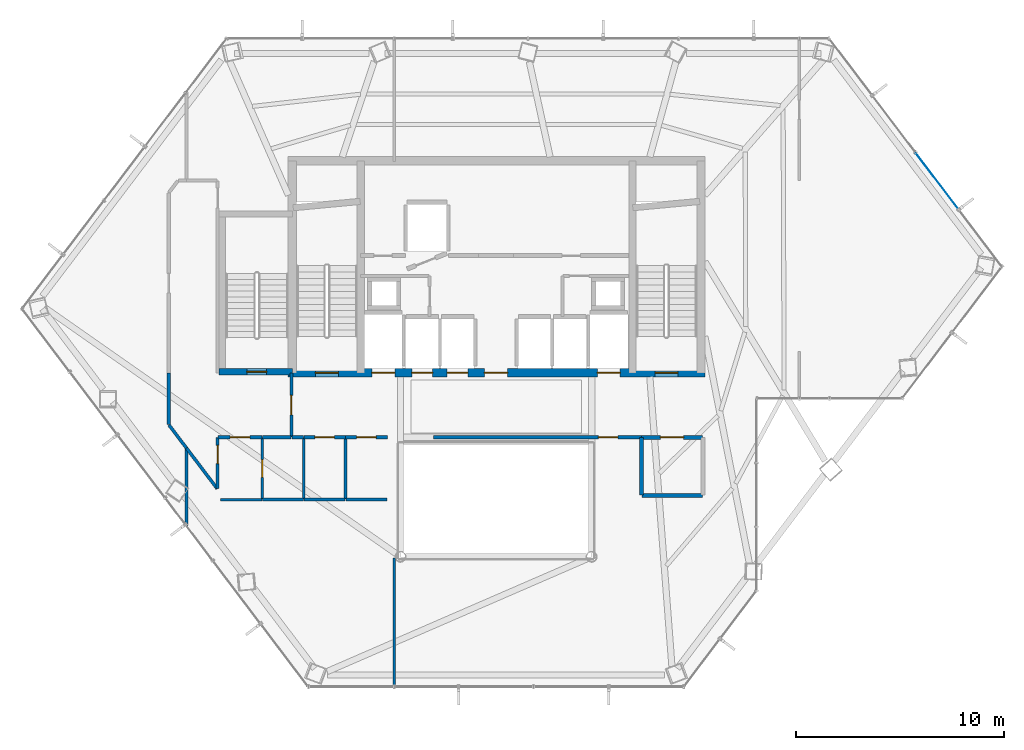
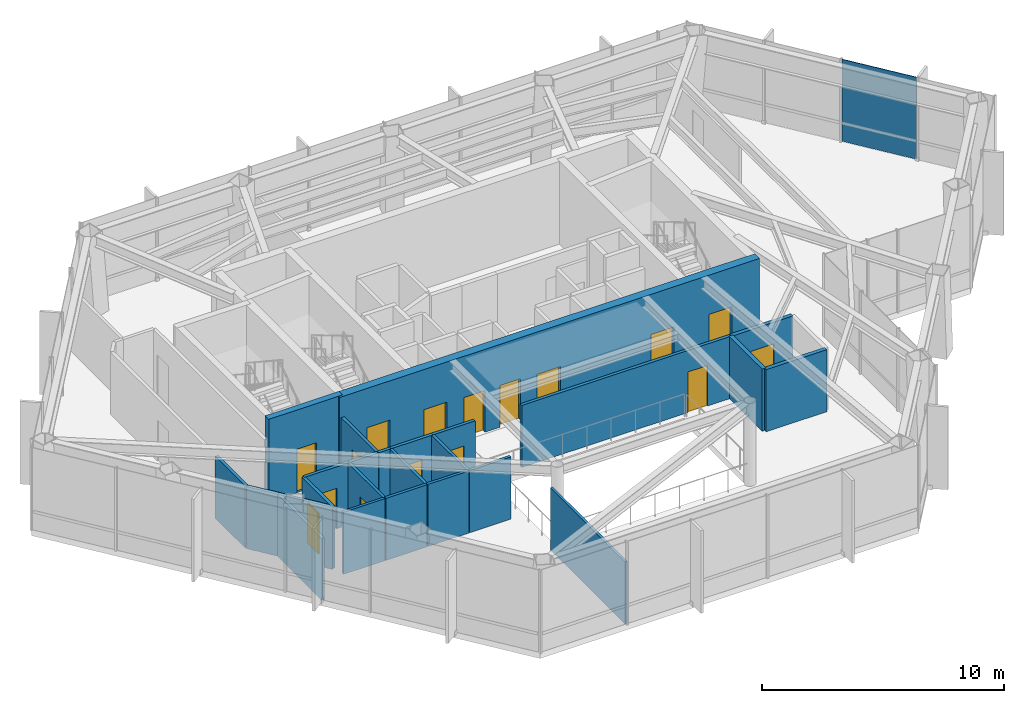
# One storey, part 22 of 25: 25 walls, 16 doors, 1 plate, 16 openings, 1 element without a shape of its own.
"""IFC4 building model written with IfcOpenShell, lengths in metres."""

import ifcopenshell
import ifcopenshell.guid

model = None  # the IFC model being written
_history = None  # IfcOwnerHistory: only IFC2X3 demands one
_inside = {}  # id of a spatial element -> (the spatial element, [elements in it])
_under = {}  # id of a project, library or spatial element -> (it, [spatial elements below it])
_declared = {}  # id of a project -> (the project, [libraries it declares])
_typed = {}  # id of a type object -> (the type object, [elements of that type])
_made_of = {}  # id of a material, layer set ... -> (it, [elements and type objects made of it])


def new_model(schema):
    """Start an empty IFC model of exactly this schema.

    Asked for "IFC4X3", IfcOpenShell would pick the latest addendum, in which some entities
    have other attributes; the version numbers below select the first issue.
    IFC2X3 requires an IfcOwnerHistory on every rooted entity: one is made here for all.
    """
    global model, _history
    if schema == "IFC4X3":
        model = ifcopenshell.file(schema_version=(4, 3, 0, 0))
    else:
        model = ifcopenshell.file(schema=schema)
    _inside.clear()
    _under.clear()
    _declared.clear()
    _typed.clear()
    _made_of.clear()
    _history = None
    if model.schema == "IFC2X3":
        org = make("IfcOrganization", Name="unknown")
        user = make(
            "IfcPersonAndOrganization",
            ThePerson=make("IfcPerson", FamilyName="unknown"),
            TheOrganization=org,
        )
        app = make(
            "IfcApplication",
            ApplicationDeveloper=org,
            Version="unknown",
            ApplicationFullName="unknown",
            ApplicationIdentifier="unknown",
        )
        _history = make(
            "IfcOwnerHistory",
            OwningUser=user,
            OwningApplication=app,
            ChangeAction="ADDED",
            CreationDate=0,
        )
    return model


def make(cls, **values):
    """One entity of the class cls with the attributes given. An attribute that is None is left unset."""
    return model.create_entity(
        cls, **{name: value for name, value in values.items() if value is not None}
    )


def rooted(cls, **values):
    """An entity with a GlobalId (a new one), such as an element, a storey or a relation."""
    return make(cls, GlobalId=ifcopenshell.guid.new(), OwnerHistory=_history, **values)


def si_unit(unit_type, name, prefix=None):
    """IfcSIUnit, for example si_unit("LENGTHUNIT", "METRE", prefix="MILLI")."""
    return make("IfcSIUnit", UnitType=unit_type, Prefix=prefix, Name=name)


def assignment(units):
    """IfcUnitAssignment: the units of a project."""
    return None if units is None else make("IfcUnitAssignment", Units=units)


def point(xyz):
    """IfcCartesianPoint."""
    return None if xyz is None else make("IfcCartesianPoint", Coordinates=xyz)


def direction(xyz):
    """IfcDirection."""
    return None if xyz is None else make("IfcDirection", DirectionRatios=xyz)


def frame(location, z_axis=None, x_axis=None):
    """IfcAxis2Placement3D, a coordinate frame: its origin and axes. An axis left out is left unset."""
    return make(
        "IfcAxis2Placement3D",
        Location=point(location),
        Axis=direction(z_axis),
        RefDirection=direction(x_axis),
    )


def frame_2d(location, x_axis=None):
    """IfcAxis2Placement2D, a coordinate frame in the plane: its origin and x axis."""
    return make(
        "IfcAxis2Placement2D", Location=point(location), RefDirection=direction(x_axis)
    )


def origin():
    """The frame at (0, 0, 0) with its axes left unset."""
    return frame((0.0, 0.0, 0.0))


def origin_2d():
    """The frame at (0, 0) in the plane with its x axis left unset."""
    return frame_2d((0.0, 0.0))


def place(relative_to, where):
    """IfcLocalPlacement: puts the frame where relative to a parent placement (None: the world)."""
    return make(
        "IfcLocalPlacement", PlacementRelTo=relative_to, RelativePlacement=where
    )


def context(
    kind, dimensions, precision=None, world=None, true_north=None, identifier=None
):
    """IfcGeometricRepresentationContext, for example the 3D "Model" context."""
    return make(
        "IfcGeometricRepresentationContext",
        ContextIdentifier=identifier,
        ContextType=kind,
        CoordinateSpaceDimension=dimensions,
        Precision=precision,
        WorldCoordinateSystem=world,
        TrueNorth=true_north,
    )


def subcontext(parent, identifier, kind, view, scale=None):
    """IfcGeometricRepresentationSubContext, for example "Body" below "Model"."""
    return make(
        "IfcGeometricRepresentationSubContext",
        ContextIdentifier=identifier,
        ContextType=kind,
        ParentContext=parent,
        TargetScale=scale,
        TargetView=view,
    )


def project(units=None, contexts=None):
    """IfcProject with its units and contexts."""
    return rooted(
        "IfcProject",
        Name="project",
        RepresentationContexts=contexts,
        UnitsInContext=assignment(units),
    )


def spatial(cls, under=None, at=None, **own):
    """A site, building, storey or space (cls), placed at a placement, below another one or the project."""
    s = rooted(cls, ObjectPlacement=at, **own)
    if under is not None:
        _under.setdefault(under.id(), (under, []))[1].append(s)
    return s


def profile(cls, at=None, kind="AREA", **sizes):
    """A parametric profile (cls). Its sizes go by their IFC names, for example OverallWidth=200.0."""
    return make(cls, ProfileType=kind, Position=at, **sizes)


def rectangle(**sizes):
    """IfcRectangleProfileDef."""
    return profile("IfcRectangleProfileDef", **sizes)


def extrude(swept, where, along, depth):
    """IfcExtrudedAreaSolid: the profile swept, set in the frame where, extruded along a direction by depth."""
    return make(
        "IfcExtrudedAreaSolid",
        SweptArea=swept,
        Position=where,
        ExtrudedDirection=direction(along),
        Depth=depth,
    )


def shape(context_of_items, identifier, shape_type, items):
    """IfcShapeRepresentation: the items that make up one representation, for example the "Body"."""
    return make(
        "IfcShapeRepresentation",
        ContextOfItems=context_of_items,
        RepresentationIdentifier=identifier,
        RepresentationType=shape_type,
        Items=items,
    )


def material(Name=None, Category=None):
    """IfcMaterial."""
    return make("IfcMaterial", Name=Name, Category=Category)


def layer(
    of_material, thickness, ventilated=None, Name=None, Category=None, Priority=None
):
    """IfcMaterialLayer: one layer of a wall or slab, of a material (None: an air gap)."""
    return make(
        "IfcMaterialLayer",
        Material=of_material,
        LayerThickness=thickness,
        IsVentilated=ventilated,
        Name=Name,
        Category=Category,
        Priority=Priority,
    )


def layer_set(layers, Name=None):
    """IfcMaterialLayerSet."""
    return make("IfcMaterialLayerSet", MaterialLayers=layers, LayerSetName=Name)


def made_of(thing, what):
    """Note that an element or type object is made of a material, layer set ...; save() writes the relation."""
    if what is not None:
        _made_of.setdefault(what.id(), (what, []))[1].append(thing)
    return thing


def type_object(cls, material=None, **own):
    """A type object (cls), such as IfcWallType, which elements share."""
    return made_of(rooted(cls, **own), material)


def element(
    cls,
    number,
    at=None,
    inside=None,
    cuts=None,
    type_object=None,
    material=None,
    context=None,
    identifier="Body",
    shape_type=None,
    held_by="IfcProductDefinitionShape",
    body=None,
    shapes=None,
    **own,
):
    """One element of the class cls, such as IfcWall. Its Tag is "e" and its number.

    at: its placement. inside: the storey or other place that contains it. cuts: it is an
    opening in that element (IfcRelVoidsElement). A single representation is given by context,
    identifier, shape_type and body (its items); several are given by shapes. held_by: the class
    of the entity that holds the representations. save() writes the other relations.
    """
    e = rooted(cls, Tag="e%d" % number, ObjectPlacement=at, **own)
    if body is not None:
        shapes = [shape(context, identifier, shape_type, body)]
    if shapes is not None:
        e.Representation = make(held_by, Representations=shapes)
    if inside is not None:
        _inside.setdefault(inside.id(), (inside, []))[1].append(e)
    if cuts is not None:
        rooted(
            "IfcRelVoidsElement", RelatingBuildingElement=cuts, RelatedOpeningElement=e
        )
    if type_object is not None:
        _typed.setdefault(type_object.id(), (type_object, []))[1].append(e)
    return made_of(e, material)


def fill(opening, filler):
    """IfcRelFillsElement: the door or window that sits in an opening."""
    return rooted(
        "IfcRelFillsElement",
        RelatingOpeningElement=opening,
        RelatedBuildingElement=filler,
    )


def aggregate(whole, parts):
    """IfcRelAggregates: a whole, such as a stair, and the parts it consists of."""
    return rooted("IfcRelAggregates", RelatingObject=whole, RelatedObjects=parts)


def save(model, path):
    """Write the relations noted so far, then the file.

    IfcRelAggregates (storeys below a building ...), IfcRelContainedInSpatialStructure (elements
    in a storey), IfcRelDefinesByType, IfcRelAssociatesMaterial and IfcRelDeclares: one each for
    every whole, place, type object, material and project.
    """
    for whole, parts in _under.values():
        aggregate(whole, parts)
    for where, things in _inside.values():
        rooted(
            "IfcRelContainedInSpatialStructure",
            RelatedElements=things,
            RelatingStructure=where,
        )
    for kind, things in _typed.values():
        rooted("IfcRelDefinesByType", RelatedObjects=things, RelatingType=kind)
    for what, things in _made_of.values():
        rooted("IfcRelAssociatesMaterial", RelatedObjects=things, RelatingMaterial=what)
    for by, libraries in _declared.values():
        rooted("IfcRelDeclares", RelatingContext=by, RelatedDefinitions=libraries)
    model.write(path)


model = new_model("IFC4")

# Units and contexts
model_context = context("Model", 3, precision=1e-05, world=origin(), true_north=direction((0.0, 1.0)))
body_context = subcontext(model_context, "Body", "Model", "MODEL_VIEW")
ifc_project = project(units=[si_unit("LENGTHUNIT", "METRE"), si_unit("AREAUNIT", "SQUARE_METRE"), si_unit("VOLUMEUNIT", "CUBIC_METRE"), si_unit("PLANEANGLEUNIT", "RADIAN"), si_unit("MASSUNIT", "GRAM", prefix="KILO")], contexts=[model_context])

# Site, building, storey
site_placement = place(None, origin())
site = spatial("IfcSite", under=ifc_project, at=site_placement, CompositionType="ELEMENT")
building_placement = place(site_placement, origin())
building = spatial("IfcBuilding", under=site, at=building_placement, Name="Zarrinselat Tower", CompositionType="ELEMENT")
storey_placement = place(building_placement, frame((0.0, 0.0, 119.0)))
storey = spatial("IfcBuildingStorey", under=building, at=storey_placement, Name="L28", CompositionType="ELEMENT", Elevation=119.0)

# Curtain wall, plate
ifc_material_1 = material(Name="Extruded Aluminium Alloy EN AW-6063 T6", Category="aluminium")
ifc_layer_1 = layer(ifc_material_1, 0.195068359375)
ifc_layer_set_1 = layer_set([ifc_layer_1], Name="Extruded Aluminium Alloy EN AW-6063 T6")
curtain_wall_type = type_object("IfcCurtainWallType", Name="CWS-GDN", PredefinedType="NOTDEFINED", material=ifc_layer_set_1)
curtain_wall_placement = place(storey_placement, origin())
curtain_wall = element("IfcCurtainWall", 1, at=curtain_wall_placement, inside=storey, type_object=curtain_wall_type, Name="L28 Unitised Curtain Wall CW-L28-E05", PredefinedType="NOTDEFINED")
ifc_material_2 = material(Name="Double Low-E Laminated Solar Glass", Category="glass")
ifc_layer_2 = layer(ifc_material_2, 0.031982421875)
ifc_layer_set_2 = layer_set([ifc_layer_2], Name="Double Low-E Laminated Solar Glass")
plate_type = type_object("IfcPlateType", Name="PLT-CW-GL32", PredefinedType="CURTAIN_PANEL", material=ifc_layer_set_2)
plate_placement = place(storey_placement, frame((59.62646484375, 42.480224609375, 0.02001953125), z_axis=(0.0, 0.0, 1.0), x_axis=(0.603856430388, -0.797093100885, 0.0)))
plate = element("IfcPlate", 2, at=plate_placement, type_object=plate_type, Name="CW-L28-E05 Vision Glass Panel 3", PredefinedType="CURTAIN_PANEL", context=body_context, shape_type="SweptSolid", body=[
    extrude(rectangle(XDim=3.344482421875, YDim=0.031982421875, at=origin_2d()), origin(), (0.0, 0.0, 1.0), 4.139892578125),
])
aggregate(curtain_wall, [plate])

# Wall, opening, door
ifc_material_3 = material(Name="Concrete C40/50", Category="concrete")
ifc_layer_3 = layer(ifc_material_3, 0.18994140625)
ifc_layer_set_3 = layer_set([ifc_layer_3], Name="Concrete C40/50")
wall_type_1 = type_object("IfcWallType", Name="WAL-PART-EI120", PredefinedType="PARTITIONING", material=ifc_layer_set_3)
wall_1_placement = place(storey_placement, frame((45.405029296875, 30.14990234375, 0.0), z_axis=(0.0, 0.0, 1.0), x_axis=(1.0, 0.0, 0.0)))
wall_1 = element("IfcWall", 3, at=wall_1_placement, inside=storey, type_object=wall_type_1, Name="L28 Partition Wall 9", PredefinedType="PARTITIONING", context=body_context, shape_type="SweptSolid", body=[
    extrude(rectangle(XDim=2.925048828125, YDim=0.18994140625, at=frame_2d((1.46240234375, 0.0))), origin(), (0.0, 0.0, 1.0), 3.136962890625),
])
opening_1_placement = place(wall_1_placement, frame((0.902587890625, 0.0, 0.0)))
opening_1 = element("IfcOpeningElement", 4, at=opening_1_placement, cuts=wall_1, Name="Opening ID-02", PredefinedType="OPENING", context=body_context, shape_type="SweptSolid", body=[
    extrude(rectangle(XDim=1.1201171875, YDim=2.050048828125, at=frame_2d((0.56005859375, 1.02490234375))), frame((0.0, 0.10498046875, 0.0), z_axis=(0.0, -1.0, 0.0), x_axis=(1.0, 0.0, 0.0)), (0.0, 0.0, 1.0), 0.2099609375),
])
ifc_material_4 = material(Name="Steel S355J2", Category="steel")
door_type_1 = type_object("IfcDoorType", Name="DR-INT-FD60-W", OperationType="NOTDEFINED", PredefinedType="DOOR", material=ifc_material_4)
door_1_placement = place(opening_1_placement, origin())
door_1 = element("IfcDoor", 5, at=door_1_placement, inside=storey, type_object=door_type_1, Name="L28 Interior Door P9", OperationType="SINGLE_SWING_LEFT", OverallHeight=2.050048828125, OverallWidth=1.1201171875, PredefinedType="DOOR", context=body_context, shape_type="SweptSolid", body=[
    extrude(rectangle(XDim=1.1201171875, YDim=2.050048828125, at=frame_2d((0.56005859375, 1.02490234375))), frame((0.0, 0.02490234375, 0.0), z_axis=(0.0, -1.0, 0.0), x_axis=(1.0, 0.0, 0.0)), (0.0, 0.0, 1.0), 0.050048828125),
])
fill(opening_1, door_1)

# Walls
wall_2_placement = place(storey_placement, frame((45.419921875, 27.35009765625, 0.0), z_axis=(0.0, 0.0, 1.0), x_axis=(1.0, 0.0, 0.0)))
element("IfcWall", 6, at=wall_2_placement, inside=storey, type_object=wall_type_1, Name="L28 Partition Wall 15", PredefinedType="PARTITIONING", context=body_context, shape_type="SweptSolid", body=[
    extrude(rectangle(XDim=2.91015625, YDim=0.18994140625, at=frame_2d((1.455078125, 0.0))), origin(), (0.0, 0.0, 1.0), 3.136962890625),
])
wall_3_placement = place(storey_placement, frame((45.39990234375, 27.3701171875, 0.0), z_axis=(0.0, 0.0, 1.0), x_axis=(0.0, 1.0, 0.0)))
element("IfcWall", 7, at=wall_3_placement, inside=storey, type_object=wall_type_1, Name="L28 Partition Wall 16", PredefinedType="PARTITIONING", context=body_context, shape_type="SweptSolid", body=[
    extrude(rectangle(XDim=2.759765625, YDim=0.18994140625, at=frame_2d((1.3798828125, 0.0))), origin(), (0.0, 0.0, 1.0), 3.136962890625),
])

# Wall, opening, door
ifc_material_5 = material(Name="Fire-Rated Gypsum Board Partition", Category="gypsum")
ifc_layer_4 = layer(ifc_material_5, 0.14990234375)
ifc_layer_set_4 = layer_set([ifc_layer_4], Name="Fire-Rated Gypsum Board Partition")
wall_type_2 = type_object("IfcWallType", Name="WAL-PART-EI60", PredefinedType="PARTITIONING", material=ifc_layer_set_4)
wall_4_placement = place(storey_placement, frame((28.550048828125, 30.169921875, 0.0), z_axis=(0.0, 0.0, 1.0), x_axis=(0.0, 1.0, 0.0)))
wall_4 = element("IfcWall", 8, at=wall_4_placement, inside=storey, type_object=wall_type_2, Name="L28 Partition Wall 10", PredefinedType="PARTITIONING", context=body_context, shape_type="SweptSolid", body=[
    extrude(rectangle(XDim=3.065185546875, YDim=0.14990234375, at=frame_2d((1.53271484375, 0.0))), origin(), (0.0, 0.0, 1.0), 3.136962890625),
])
opening_2_placement = place(wall_4_placement, frame((1.0625, 0.0, 0.0)))
opening_2 = element("IfcOpeningElement", 9, at=opening_2_placement, cuts=wall_4, Name="Opening ID-04", PredefinedType="OPENING", context=body_context, shape_type="SweptSolid", body=[
    extrude(rectangle(XDim=0.93994140625, YDim=2.050048828125, at=frame_2d((0.469970703125, 1.02490234375))), frame((0.0, 0.0849609375, 0.0), z_axis=(0.0, -1.0, 0.0), x_axis=(1.0, 0.0, 0.0)), (0.0, 0.0, 1.0), 0.169921875),
])
ifc_material_6 = material(Name="Fire-Rated Gypsum Board Partition")
door_type_2 = type_object("IfcDoorType", Name="DR-INT-FD30-ENT", OperationType="NOTDEFINED", PredefinedType="DOOR", material=ifc_material_6)
door_2_placement = place(opening_2_placement, origin())
door_2 = element("IfcDoor", 10, at=door_2_placement, inside=storey, type_object=door_type_2, Name="L28 Interior Door P10", OperationType="SINGLE_SWING_RIGHT", OverallHeight=2.050048828125, OverallWidth=0.93994140625, PredefinedType="DOOR", context=body_context, shape_type="SweptSolid", body=[
    extrude(rectangle(XDim=0.93994140625, YDim=2.050048828125, at=frame_2d((0.469970703125, 1.02490234375))), frame((0.0, 0.02490234375, 0.0), z_axis=(0.0, -1.0, 0.0), x_axis=(1.0, 0.0, 0.0)), (0.0, 0.0, 1.0), 0.050048828125),
])
fill(opening_2, door_2)

# Wall
wall_5_placement = place(storey_placement, frame((28.570068359375, 30.14990234375, 0.0), z_axis=(0.0, 0.0, 1.0), x_axis=(1.0, 0.0, 0.0)))
element("IfcWall", 11, at=wall_5_placement, inside=storey, type_object=wall_type_2, Name="L28 Partition Wall 11", PredefinedType="PARTITIONING", context=body_context, shape_type="SweptSolid", body=[
    extrude(rectangle(XDim=0.574951171875, YDim=0.14990234375, at=frame_2d((0.28759765625, 0.0))), origin(), (0.0, 0.0, 1.0), 3.136962890625),
])

# Wall, opening, door
wall_6_placement = place(storey_placement, frame((29.155029296875, 30.14990234375, 0.0), z_axis=(0.0, 0.0, 1.0), x_axis=(1.0, 0.0, 0.0)))
wall_6 = element("IfcWall", 12, at=wall_6_placement, inside=storey, type_object=wall_type_2, Name="L28 Partition Wall 12", PredefinedType="PARTITIONING", context=body_context, shape_type="SweptSolid", body=[
    extrude(rectangle(XDim=1.989990234375, YDim=0.14990234375, at=frame_2d((0.9951171875, 0.0))), origin(), (0.0, 0.0, 1.0), 3.136962890625),
])
opening_3_placement = place(wall_6_placement, frame((0.52490234375, 0.0, 0.0)))
opening_3 = element("IfcOpeningElement", 13, at=opening_3_placement, cuts=wall_6, Name="Opening ID-04", PredefinedType="OPENING", context=body_context, shape_type="SweptSolid", body=[
    extrude(rectangle(XDim=0.93994140625, YDim=2.050048828125, at=frame_2d((0.469970703125, 1.02490234375))), frame((0.0, 0.0849609375, 0.0), z_axis=(0.0, -1.0, 0.0), x_axis=(1.0, 0.0, 0.0)), (0.0, 0.0, 1.0), 0.169921875),
])
door_3_placement = place(opening_3_placement, origin())
door_3 = element("IfcDoor", 14, at=door_3_placement, inside=storey, type_object=door_type_2, Name="L28 Interior Door P12", OperationType="SINGLE_SWING_LEFT", OverallHeight=2.050048828125, OverallWidth=0.93994140625, PredefinedType="DOOR", context=body_context, shape_type="SweptSolid", body=[
    extrude(rectangle(XDim=0.93994140625, YDim=2.050048828125, at=frame_2d((0.469970703125, 1.02490234375))), frame((0.0, 0.02490234375, 0.0), z_axis=(0.0, -1.0, 0.0), x_axis=(1.0, 0.0, 0.0)), (0.0, 0.0, 1.0), 0.050048828125),
])
fill(opening_3, door_3)

wall_7_placement = place(storey_placement, frame((31.155029296875, 30.14990234375, 0.0), z_axis=(0.0, 0.0, 1.0), x_axis=(1.0, 0.0, 0.0)))
wall_7 = element("IfcWall", 15, at=wall_7_placement, inside=storey, type_object=wall_type_2, Name="L28 Partition Wall 13", PredefinedType="PARTITIONING", context=body_context, shape_type="SweptSolid", body=[
    extrude(rectangle(XDim=2.010009765625, YDim=0.14990234375, at=frame_2d((1.0048828125, 0.0))), origin(), (0.0, 0.0, 1.0), 3.136962890625),
])
opening_4_placement = place(wall_7_placement, frame((0.534912109375, 0.0, 0.0)))
opening_4 = element("IfcOpeningElement", 16, at=opening_4_placement, cuts=wall_7, Name="Opening ID-04", PredefinedType="OPENING", context=body_context, shape_type="SweptSolid", body=[
    extrude(rectangle(XDim=0.93994140625, YDim=2.050048828125, at=frame_2d((0.469970703125, 1.02490234375))), frame((0.0, 0.0849609375, 0.0), z_axis=(0.0, -1.0, 0.0), x_axis=(1.0, 0.0, 0.0)), (0.0, 0.0, 1.0), 0.169921875),
])
door_4_placement = place(opening_4_placement, origin())
door_4 = element("IfcDoor", 17, at=door_4_placement, inside=storey, type_object=door_type_2, Name="L28 Interior Door P13", OperationType="SINGLE_SWING_RIGHT", OverallHeight=2.050048828125, OverallWidth=0.93994140625, PredefinedType="DOOR", context=body_context, shape_type="SweptSolid", body=[
    extrude(rectangle(XDim=0.93994140625, YDim=2.050048828125, at=frame_2d((0.469970703125, 1.02490234375))), frame((0.0, 0.02490234375, 0.0), z_axis=(0.0, -1.0, 0.0), x_axis=(1.0, 0.0, 0.0)), (0.0, 0.0, 1.0), 0.050048828125),
])
fill(opening_4, door_4)

wall_8_placement = place(storey_placement, frame((35.385009765625, 30.14990234375, 0.0), z_axis=(0.0, 0.0, 1.0), x_axis=(1.0, 0.0, 0.0)))
wall_8 = element("IfcWall", 18, at=wall_8_placement, inside=storey, type_object=wall_type_2, Name="L28 Partition Wall 14", PredefinedType="PARTITIONING", context=body_context, shape_type="SweptSolid", body=[
    extrude(rectangle(XDim=10.010009765625, YDim=0.14990234375, at=frame_2d((5.0048828125, 0.0))), origin(), (0.0, 0.0, 1.0), 3.136962890625),
])
opening_5_placement = place(wall_8_placement, frame((7.93505859375, 0.0, 0.0)))
opening_5 = element("IfcOpeningElement", 19, at=opening_5_placement, cuts=wall_8, Name="Opening ID-04", PredefinedType="OPENING", context=body_context, shape_type="SweptSolid", body=[
    extrude(rectangle(XDim=0.93994140625, YDim=2.050048828125, at=frame_2d((0.469970703125, 1.02490234375))), frame((0.0, 0.0849609375, 0.0), z_axis=(0.0, -1.0, 0.0), x_axis=(1.0, 0.0, 0.0)), (0.0, 0.0, 1.0), 0.169921875),
])
door_5_placement = place(opening_5_placement, origin())
door_5 = element("IfcDoor", 20, at=door_5_placement, inside=storey, type_object=door_type_2, Name="L28 Interior Door P14", OperationType="SINGLE_SWING_LEFT", OverallHeight=2.050048828125, OverallWidth=0.93994140625, PredefinedType="DOOR", context=body_context, shape_type="SweptSolid", body=[
    extrude(rectangle(XDim=0.93994140625, YDim=2.050048828125, at=frame_2d((0.469970703125, 1.02490234375))), frame((0.0, 0.02490234375, 0.0), z_axis=(0.0, -1.0, 0.0), x_axis=(1.0, 0.0, 0.0)), (0.0, 0.0, 1.0), 0.050048828125),
])
fill(opening_5, door_5)

wall_9_placement = place(storey_placement, frame((25.014892578125, 30.14990234375, 0.0), z_axis=(0.0, 0.0, 1.0), x_axis=(1.0, 0.0, 0.0)))
wall_9 = element("IfcWall", 21, at=wall_9_placement, inside=storey, type_object=wall_type_2, Name="L28 Partition Wall 18", PredefinedType="PARTITIONING", context=body_context, shape_type="SweptSolid", body=[
    extrude(rectangle(XDim=2.130126953125, YDim=0.14990234375, at=frame_2d((1.06494140625, 0.0))), origin(), (0.0, 0.0, 1.0), 3.136962890625),
])
opening_6_placement = place(wall_9_placement, frame((0.594970703125, 0.0, 0.0)))
opening_6 = element("IfcOpeningElement", 22, at=opening_6_placement, cuts=wall_9, Name="Opening ID-04", PredefinedType="OPENING", context=body_context, shape_type="SweptSolid", body=[
    extrude(rectangle(XDim=0.93994140625, YDim=2.050048828125, at=frame_2d((0.469970703125, 1.02490234375))), frame((0.0, 0.0849609375, 0.0), z_axis=(0.0, -1.0, 0.0), x_axis=(1.0, 0.0, 0.0)), (0.0, 0.0, 1.0), 0.169921875),
])
door_6_placement = place(opening_6_placement, origin())
door_6 = element("IfcDoor", 23, at=door_6_placement, inside=storey, type_object=door_type_2, Name="L28 Interior Door P18", OperationType="SINGLE_SWING_RIGHT", OverallHeight=2.050048828125, OverallWidth=0.93994140625, PredefinedType="DOOR", context=body_context, shape_type="SweptSolid", body=[
    extrude(rectangle(XDim=0.93994140625, YDim=2.050048828125, at=frame_2d((0.469970703125, 1.02490234375))), frame((0.0, 0.02490234375, 0.0), z_axis=(0.0, -1.0, 0.0), x_axis=(1.0, 0.0, 0.0)), (0.0, 0.0, 1.0), 0.050048828125),
])
fill(opening_6, door_6)

# Wall
wall_10_placement = place(storey_placement, frame((27.155029296875, 30.14990234375, 0.0), z_axis=(0.0, 0.0, 1.0), x_axis=(1.0, 0.0, 0.0)))
element("IfcWall", 24, at=wall_10_placement, inside=storey, type_object=wall_type_2, Name="L28 Partition Wall 19", PredefinedType="PARTITIONING", context=body_context, shape_type="SweptSolid", body=[
    extrude(rectangle(XDim=1.375, YDim=0.14990234375, at=frame_2d((0.6875, 0.0))), origin(), (0.0, 0.0, 1.0), 3.136962890625),
])

# Wall, opening, door
wall_11_placement = place(storey_placement, frame((25.0, 27.675048828125, 0.0), z_axis=(0.0, 0.0, 1.0), x_axis=(0.0, 1.0, 0.0)))
wall_11 = element("IfcWall", 25, at=wall_11_placement, inside=storey, type_object=wall_type_2, Name="L28 Partition Wall 20", PredefinedType="PARTITIONING", context=body_context, shape_type="SweptSolid", body=[
    extrude(rectangle(XDim=2.474853515625, YDim=0.14990234375, at=frame_2d((1.2373046875, 0.0))), origin(), (0.0, 0.0, 1.0), 3.136962890625),
])
opening_7_placement = place(wall_11_placement, frame((1.2099609375, 0.0, 0.0)))
opening_7 = element("IfcOpeningElement", 26, at=opening_7_placement, cuts=wall_11, Name="Opening ID-03", PredefinedType="OPENING", context=body_context, shape_type="SweptSolid", body=[
    extrude(rectangle(XDim=0.8798828125, YDim=2.050048828125, at=frame_2d((0.43994140625, 1.02490234375))), frame((0.0, 0.0849609375, 0.0), z_axis=(0.0, -1.0, 0.0), x_axis=(1.0, 0.0, 0.0)), (0.0, 0.0, 1.0), 0.169921875),
])
ifc_material_7 = material(Name="Steel S355J2", Category="steel")
door_type_3 = type_object("IfcDoorType", Name="DR-INT-FD60-S", OperationType="NOTDEFINED", PredefinedType="DOOR", material=ifc_material_7)
door_7_placement = place(opening_7_placement, origin())
door_7 = element("IfcDoor", 27, at=door_7_placement, inside=storey, type_object=door_type_3, Name="L28 Interior Door P20", OperationType="SINGLE_SWING_LEFT", OverallHeight=2.050048828125, OverallWidth=0.8798828125, PredefinedType="DOOR", context=body_context, shape_type="SweptSolid", body=[
    extrude(rectangle(XDim=0.8798828125, YDim=2.050048828125, at=frame_2d((0.43994140625, 1.02490234375))), frame((0.0, 0.02490234375, 0.0), z_axis=(0.0, -1.0, 0.0), x_axis=(1.0, 0.0, 0.0)), (0.0, 0.0, 1.0), 0.050048828125),
])
fill(opening_7, door_7)

# Walls
wall_12_placement = place(storey_placement, frame((23.503173828125, 29.631103515625, 0.0), z_axis=(0.0, 0.0, 1.0), x_axis=(0.603758281428, -0.797167446404, 0.0)))
element("IfcWall", 28, at=wall_12_placement, inside=storey, type_object=wall_type_2, Name="L28 Partition Wall 21", PredefinedType="PARTITIONING", context=body_context, shape_type="SweptSolid", body=[
    extrude(rectangle(XDim=2.458984375, YDim=0.14990234375, at=frame_2d((1.2294921875, 0.0))), origin(), (0.0, 0.0, 1.0), 3.136962890625),
])
wall_13_placement = place(storey_placement, frame((22.662109375, 30.7412109375, 0.0), z_axis=(0.0, 0.0, 1.0), x_axis=(0.603780052094, -0.79715095728, 0.0)))
element("IfcWall", 29, at=wall_13_placement, inside=storey, type_object=wall_type_2, Name="L28 Partition Wall 22", PredefinedType="PARTITIONING", context=body_context, shape_type="SweptSolid", body=[
    extrude(rectangle(XDim=1.392578125, YDim=0.14990234375, at=frame_2d((0.6962890625, 0.0))), origin(), (0.0, 0.0, 1.0), 3.136962890625),
])
wall_14_placement = place(storey_placement, frame((22.64990234375, 30.777099609375, 0.0), z_axis=(0.0, 0.0, 1.0), x_axis=(0.0, 1.0, 0.0)))
element("IfcWall", 30, at=wall_14_placement, inside=storey, type_object=wall_type_2, Name="L28 Partition Wall 23", PredefinedType="PARTITIONING", context=body_context, shape_type="SweptSolid", body=[
    extrude(rectangle(XDim=2.472900390625, YDim=0.14990234375, at=frame_2d((1.236328125, 0.0))), origin(), (0.0, 0.0, 1.0), 3.136962890625),
])
ifc_material_8 = material(Name="Fire-Rated Gypsum Board Partition", Category="gypsum")
ifc_layer_5 = layer(ifc_material_8, 0.1201171875)
ifc_layer_set_5 = layer_set([ifc_layer_5], Name="Fire-Rated Gypsum Board Partition")
wall_type_3 = type_object("IfcWallType", Name="WAL-PART-STD", PredefinedType="PARTITIONING", material=ifc_layer_set_5)
wall_15_placement = place(storey_placement, frame((25.14990234375, 27.14990234375, 0.0), z_axis=(0.0, 0.0, 1.0), x_axis=(1.0, 0.0, 0.0)))
element("IfcWall", 31, at=wall_15_placement, inside=storey, type_object=wall_type_3, Name="L28 Partition Wall 30", PredefinedType="PARTITIONING", context=body_context, shape_type="SweptSolid", body=[
    extrude(rectangle(XDim=1.97998046875, YDim=0.1201171875, at=frame_2d((0.989990234375, 0.0))), origin(), (0.0, 0.0, 1.0), 3.136962890625),
])
wall_16_placement = place(storey_placement, frame((33.5, 18.162109375, 0.0), z_axis=(0.0, 0.0, 1.0), x_axis=(0.0, 1.0, 0.0)))
element("IfcWall", 32, at=wall_16_placement, inside=storey, type_object=wall_type_3, Name="L28 Partition Wall 36", PredefinedType="PARTITIONING", context=body_context, shape_type="SweptSolid", body=[
    extrude(rectangle(XDim=6.182861328125, YDim=0.1201171875, at=frame_2d((3.09130859375, 0.0))), origin(), (0.0, 0.0, 1.0), 3.136962890625),
])

# Wall, opening, door
ifc_material_9 = material(Name="Fire-Rated Gypsum Board Partition", Category="gypsum")
ifc_layer_6 = layer(ifc_material_9, 0.135009765625)
ifc_layer_set_6 = layer_set([ifc_layer_6], Name="Fire-Rated Gypsum Board Partition")
wall_type_4 = type_object("IfcWallType", Name="WAL-PART-WET", PredefinedType="PARTITIONING", material=ifc_layer_set_6)
wall_17_placement = place(storey_placement, frame((27.14990234375, 27.169921875, 0.0), z_axis=(0.0, 0.0, 1.0), x_axis=(0.0, 1.0, 0.0)))
wall_17 = element("IfcWall", 33, at=wall_17_placement, inside=storey, type_object=wall_type_4, Name="L28 Partition Wall 29", PredefinedType="PARTITIONING", context=body_context, shape_type="SweptSolid", body=[
    extrude(rectangle(XDim=2.9599609375, YDim=0.135009765625, at=frame_2d((1.47998046875, 0.0))), origin(), (0.0, 0.0, 1.0), 3.136962890625),
])
opening_8_placement = place(wall_17_placement, frame((1.050048828125, 0.0, 0.0)))
opening_8 = element("IfcOpeningElement", 34, at=opening_8_placement, cuts=wall_17, Name="Opening ID-06", PredefinedType="OPENING", context=body_context, shape_type="SweptSolid", body=[
    extrude(rectangle(XDim=0.860107421875, YDim=2.050048828125, at=frame_2d((0.43017578125, 1.02490234375))), frame((0.0, 0.077392578125, 0.0), z_axis=(0.0, -1.0, 0.0), x_axis=(1.0, 0.0, 0.0)), (0.0, 0.0, 1.0), 0.155029296875),
])
ifc_material_10 = material(Name="Extruded Aluminium Alloy EN AW-6063 T6", Category="aluminium")
door_type_4 = type_object("IfcDoorType", Name="DR-INT-WET-900", OperationType="NOTDEFINED", PredefinedType="DOOR", material=ifc_material_10)
door_8_placement = place(opening_8_placement, origin())
door_8 = element("IfcDoor", 35, at=door_8_placement, inside=storey, type_object=door_type_4, Name="L28 Interior Door P29", OperationType="SINGLE_SWING_RIGHT", OverallHeight=2.050048828125, OverallWidth=0.860107421875, PredefinedType="DOOR", context=body_context, shape_type="SweptSolid", body=[
    extrude(rectangle(XDim=0.860107421875, YDim=2.050048828125, at=frame_2d((0.43017578125, 1.02490234375))), frame((0.0, 0.02490234375, 0.0), z_axis=(0.0, -1.0, 0.0), x_axis=(1.0, 0.0, 0.0)), (0.0, 0.0, 1.0), 0.050048828125),
])
fill(opening_8, door_8)

# Walls
wall_18_placement = place(storey_placement, frame((29.14990234375, 27.169921875, 0.0), z_axis=(0.0, 0.0, 1.0), x_axis=(0.0, 1.0, 0.0)))
element("IfcWall", 36, at=wall_18_placement, inside=storey, type_object=wall_type_4, Name="L28 Partition Wall 31", PredefinedType="PARTITIONING", context=body_context, shape_type="SweptSolid", body=[
    extrude(rectangle(XDim=2.9599609375, YDim=0.135009765625, at=frame_2d((1.47998046875, 0.0))), origin(), (0.0, 0.0, 1.0), 3.136962890625),
])
wall_19_placement = place(storey_placement, frame((27.169921875, 27.14990234375, 0.0), z_axis=(0.0, 0.0, 1.0), x_axis=(1.0, 0.0, 0.0)))
element("IfcWall", 37, at=wall_19_placement, inside=storey, type_object=wall_type_4, Name="L28 Partition Wall 32", PredefinedType="PARTITIONING", context=body_context, shape_type="SweptSolid", body=[
    extrude(rectangle(XDim=1.9599609375, YDim=0.135009765625, at=frame_2d((0.97998046875, 0.0))), origin(), (0.0, 0.0, 1.0), 3.136962890625),
])
wall_20_placement = place(storey_placement, frame((31.14990234375, 27.169921875, 0.0), z_axis=(0.0, 0.0, 1.0), x_axis=(0.0, 1.0, 0.0)))
element("IfcWall", 38, at=wall_20_placement, inside=storey, type_object=wall_type_4, Name="L28 Partition Wall 33", PredefinedType="PARTITIONING", context=body_context, shape_type="SweptSolid", body=[
    extrude(rectangle(XDim=2.9599609375, YDim=0.135009765625, at=frame_2d((1.47998046875, 0.0))), origin(), (0.0, 0.0, 1.0), 3.136962890625),
])
wall_21_placement = place(storey_placement, frame((29.169921875, 27.14990234375, 0.0), z_axis=(0.0, 0.0, 1.0), x_axis=(1.0, 0.0, 0.0)))
element("IfcWall", 39, at=wall_21_placement, inside=storey, type_object=wall_type_4, Name="L28 Partition Wall 34", PredefinedType="PARTITIONING", context=body_context, shape_type="SweptSolid", body=[
    extrude(rectangle(XDim=1.9599609375, YDim=0.135009765625, at=frame_2d((0.97998046875, 0.0))), origin(), (0.0, 0.0, 1.0), 3.136962890625),
])
wall_22_placement = place(storey_placement, frame((31.169921875, 27.14990234375, 0.0), z_axis=(0.0, 0.0, 1.0), x_axis=(1.0, 0.0, 0.0)))
element("IfcWall", 40, at=wall_22_placement, inside=storey, type_object=wall_type_4, Name="L28 Partition Wall 35", PredefinedType="PARTITIONING", context=body_context, shape_type="SweptSolid", body=[
    extrude(rectangle(XDim=1.97998046875, YDim=0.135009765625, at=frame_2d((0.989990234375, 0.0))), origin(), (0.0, 0.0, 1.0), 3.136962890625),
])
wall_23_placement = place(storey_placement, frame((23.5, 25.907470703125, 0.0), z_axis=(0.0, 0.0, 1.0), x_axis=(0.0, 1.0, 0.0)))
element("IfcWall", 41, at=wall_23_placement, inside=storey, type_object=wall_type_4, Name="L28 Partition Wall 40", PredefinedType="PARTITIONING", context=body_context, shape_type="SweptSolid", body=[
    extrude(rectangle(XDim=3.70751953125, YDim=0.135009765625, at=frame_2d((1.853759765625, 0.0))), origin(), (0.0, 0.0, 1.0), 3.136962890625),
])

# Wall, opening, door
ifc_material_11 = material(Name="Concrete C40/50", Category="concrete")
ifc_layer_7 = layer(ifc_material_11, 0.300048828125)
ifc_layer_set_7 = layer_set([ifc_layer_7], Name="Concrete C40/50")
wall_type_5 = type_object("IfcWallType", Name="WAL-SHEAR-300", PredefinedType="SHEAR", material=ifc_layer_set_7)
wall_24_placement = place(storey_placement, frame((25.080078125, 33.300048828125, 0.0), z_axis=(0.0, 0.0, 1.0), x_axis=(1.0, 0.0, 0.0)))
wall_24 = element("IfcWall", 42, at=wall_24_placement, inside=storey, type_object=wall_type_5, Name="L28 Stair 3 South Shear Wall", PredefinedType="SHEAR", context=body_context, shape_type="SweptSolid", body=[
    extrude(rectangle(XDim=3.52001953125, YDim=0.300048828125, at=frame_2d((1.760009765625, 0.0))), origin(), (0.0, 0.0, 1.0), 4.179931640625),
])
opening_9_placement = place(wall_24_placement, frame((1.3349609375, 0.0, 0.0)))
opening_9 = element("IfcOpeningElement", 43, at=opening_9_placement, cuts=wall_24, Name="Opening SD-02", PredefinedType="OPENING", context=body_context, shape_type="SweptSolid", body=[
    extrude(rectangle(XDim=0.949951171875, YDim=2.199951171875, at=frame_2d((0.47509765625, 1.10009765625))), frame((0.0, 0.159912109375, 0.0), z_axis=(0.0, -1.0, 0.0), x_axis=(1.0, 0.0, 0.0)), (0.0, 0.0, 1.0), 0.320068359375),
])
ifc_material_12 = material(Name="Steel S355J2", Category="steel")
door_type_5 = type_object("IfcDoorType", Name="DR-STAIR-1050", OperationType="NOTDEFINED", PredefinedType="DOOR", material=ifc_material_12)
door_9_placement = place(opening_9_placement, origin())
door_9 = element("IfcDoor", 44, at=door_9_placement, inside=storey, type_object=door_type_5, Name="L28 Exit Stair 3 Fire Door", OperationType="SINGLE_SWING_LEFT", OverallHeight=2.199951171875, OverallWidth=0.949951171875, PredefinedType="DOOR", context=body_context, shape_type="SweptSolid", body=[
    extrude(rectangle(XDim=0.949951171875, YDim=2.199951171875, at=frame_2d((0.47509765625, 1.10009765625))), frame((0.0, 0.02490234375, 0.0), z_axis=(0.0, -1.0, 0.0), x_axis=(1.0, 0.0, 0.0)), (0.0, 0.0, 1.0), 0.050048828125),
])
fill(opening_9, door_9)

# Wall, openings, doors
ifc_material_13 = material(Name="Concrete C60/75", Category="concrete")
ifc_layer_8 = layer(ifc_material_13, 0.39990234375)
ifc_layer_set_8 = layer_set([ifc_layer_8], Name="Concrete C60/75")
wall_type_6 = type_object("IfcWallType", Name="WAL-SHEAR-400", PredefinedType="SHEAR", material=ifc_layer_set_8)
wall_25_placement = place(storey_placement, frame((28.39990234375, 33.25, 0.0), z_axis=(0.0, 0.0, 1.0), x_axis=(1.0, 0.0, 0.0)))
wall_25 = element("IfcWall", 45, at=wall_25_placement, inside=storey, type_object=wall_type_6, Name="L28 South Core Shear Wall", PredefinedType="SHEAR", context=body_context, shape_type="SweptSolid", body=[
    extrude(rectangle(XDim=20.06005859375, YDim=0.39990234375, at=frame_2d((10.030029296875, 0.0))), origin(), (0.0, 0.0, 1.0), 4.179931640625),
])
opening_10_placement = place(wall_25_placement, frame((4.030029296875, 0.0, 0.0)))
opening_10 = element("IfcOpeningElement", 46, at=opening_10_placement, cuts=wall_25, Name="Opening LD-FFL1", PredefinedType="OPENING", context=body_context, shape_type="SweptSolid", body=[
    extrude(rectangle(XDim=1.10009765625, YDim=2.14990234375, at=frame_2d((0.550048828125, 1.074951171875))), frame((0.0, 0.2099609375, 0.0), z_axis=(0.0, -1.0, 0.0), x_axis=(1.0, 0.0, 0.0)), (0.0, 0.0, 1.0), 0.419921875),
])
opening_11_placement = place(wall_25_placement, frame((14.8701171875, 0.0, 0.0)))
opening_11 = element("IfcOpeningElement", 47, at=opening_11_placement, cuts=wall_25, Name="Opening LD-FFL2", PredefinedType="OPENING", context=body_context, shape_type="SweptSolid", body=[
    extrude(rectangle(XDim=1.10009765625, YDim=2.14990234375, at=frame_2d((0.550048828125, 1.074951171875))), frame((0.0, 0.2099609375, 0.0), z_axis=(0.0, -1.0, 0.0), x_axis=(1.0, 0.0, 0.0)), (0.0, 0.0, 1.0), 0.419921875),
])
opening_12_placement = place(wall_25_placement, frame((5.949951171875, 0.0, 0.0)))
opening_12 = element("IfcOpeningElement", 48, at=opening_12_placement, cuts=wall_25, Name="Opening LD-PL5", PredefinedType="OPENING", context=body_context, shape_type="SweptSolid", body=[
    extrude(rectangle(XDim=1.0, YDim=2.10009765625, at=frame_2d((0.5, 1.050048828125))), frame((0.0, 0.2099609375, 0.0), z_axis=(0.0, -1.0, 0.0), x_axis=(1.0, 0.0, 0.0)), (0.0, 0.0, 1.0), 0.419921875),
])
opening_13_placement = place(wall_25_placement, frame((7.64990234375, 0.0, 0.0)))
opening_13 = element("IfcOpeningElement", 49, at=opening_13_placement, cuts=wall_25, Name="Opening LD-PL6", PredefinedType="OPENING", context=body_context, shape_type="SweptSolid", body=[
    extrude(rectangle(XDim=1.0, YDim=2.10009765625, at=frame_2d((0.5, 1.050048828125))), frame((0.0, 0.2099609375, 0.0), z_axis=(0.0, -1.0, 0.0), x_axis=(1.0, 0.0, 0.0)), (0.0, 0.0, 1.0), 0.419921875),
])
opening_14_placement = place(wall_25_placement, frame((1.31005859375, 0.0, 0.0)))
opening_14 = element("IfcOpeningElement", 50, at=opening_14_placement, cuts=wall_25, Name="Opening SD-01", PredefinedType="OPENING", context=body_context, shape_type="SweptSolid", body=[
    extrude(rectangle(XDim=1.10009765625, YDim=2.199951171875, at=frame_2d((0.550048828125, 1.10009765625))), frame((0.0, 0.2099609375, 0.0), z_axis=(0.0, -1.0, 0.0), x_axis=(1.0, 0.0, 0.0)), (0.0, 0.0, 1.0), 0.419921875),
])
opening_15_placement = place(wall_25_placement, frame((9.43994140625, 0.0, 0.0)))
opening_15 = element("IfcOpeningElement", 51, at=opening_15_placement, cuts=wall_25, Name="Opening ID-02", PredefinedType="OPENING", context=body_context, shape_type="SweptSolid", body=[
    extrude(rectangle(XDim=1.1201171875, YDim=2.050048828125, at=frame_2d((0.56005859375, 1.02490234375))), frame((0.0, 0.2099609375, 0.0), z_axis=(0.0, -1.0, 0.0), x_axis=(1.0, 0.0, 0.0)), (0.0, 0.0, 1.0), 0.419921875),
])
opening_16_placement = place(wall_25_placement, frame((17.64990234375, 0.0, 0.0)))
opening_16 = element("IfcOpeningElement", 52, at=opening_16_placement, cuts=wall_25, Name="Opening SD-01", PredefinedType="OPENING", context=body_context, shape_type="SweptSolid", body=[
    extrude(rectangle(XDim=1.10009765625, YDim=2.199951171875, at=frame_2d((0.550048828125, 1.10009765625))), frame((0.0, 0.2099609375, 0.0), z_axis=(0.0, -1.0, 0.0), x_axis=(1.0, 0.0, 0.0)), (0.0, 0.0, 1.0), 0.419921875),
])
door_10_placement = place(opening_15_placement, origin())
door_10 = element("IfcDoor", 53, at=door_10_placement, inside=storey, type_object=door_type_1, Name="L28 Core Service Vestibule Fire Door", OperationType="SINGLE_SWING_RIGHT", OverallHeight=2.050048828125, OverallWidth=1.1201171875, PredefinedType="DOOR", context=body_context, shape_type="SweptSolid", body=[
    extrude(rectangle(XDim=1.1201171875, YDim=2.050048828125, at=frame_2d((0.56005859375, 1.02490234375))), frame((0.0, 0.02490234375, 0.0), z_axis=(0.0, -1.0, 0.0), x_axis=(1.0, 0.0, 0.0)), (0.0, 0.0, 1.0), 0.050048828125),
])
fill(opening_15, door_10)
ifc_material_14 = material(Name="Steel S355J2", Category="steel")
door_type_6 = type_object("IfcDoorType", Name="DR-LIFT-FF-1100", OperationType="NOTDEFINED", PredefinedType="DOOR", material=ifc_material_14)
door_11_placement = place(opening_10_placement, origin())
door_11 = element("IfcDoor", 54, at=door_11_placement, inside=storey, type_object=door_type_6, Name="L28 Lift FFL1 Sliding Landing Door", OperationType="SLIDING_TO_LEFT", OverallHeight=2.14990234375, OverallWidth=1.10009765625, PredefinedType="DOOR", context=body_context, shape_type="SweptSolid", body=[
    extrude(rectangle(XDim=1.10009765625, YDim=2.14990234375, at=frame_2d((0.550048828125, 1.074951171875))), frame((0.0, 0.02490234375, 0.0), z_axis=(0.0, -1.0, 0.0), x_axis=(1.0, 0.0, 0.0)), (0.0, 0.0, 1.0), 0.050048828125),
])
fill(opening_10, door_11)
door_12_placement = place(opening_11_placement, origin())
door_12 = element("IfcDoor", 55, at=door_12_placement, inside=storey, type_object=door_type_6, Name="L28 Lift FFL2 Sliding Landing Door", OperationType="SLIDING_TO_RIGHT", OverallHeight=2.14990234375, OverallWidth=1.10009765625, PredefinedType="DOOR", context=body_context, shape_type="SweptSolid", body=[
    extrude(rectangle(XDim=1.10009765625, YDim=2.14990234375, at=frame_2d((0.550048828125, 1.074951171875))), frame((0.0, 0.02490234375, 0.0), z_axis=(0.0, -1.0, 0.0), x_axis=(1.0, 0.0, 0.0)), (0.0, 0.0, 1.0), 0.050048828125),
])
fill(opening_11, door_12)
ifc_material_15 = material(Name="Steel S355J2", Category="steel")
door_type_7 = type_object("IfcDoorType", Name="DR-LIFT-PS-1000", OperationType="NOTDEFINED", PredefinedType="DOOR", material=ifc_material_15)
door_13_placement = place(opening_12_placement, origin())
door_13 = element("IfcDoor", 56, at=door_13_placement, inside=storey, type_object=door_type_7, Name="L28 Lift PL5 Sliding Landing Door", OperationType="SLIDING_TO_LEFT", OverallHeight=2.10009765625, OverallWidth=1.0, PredefinedType="DOOR", context=body_context, shape_type="SweptSolid", body=[
    extrude(rectangle(XDim=1.0, YDim=2.10009765625, at=frame_2d((0.5, 1.050048828125))), frame((0.0, 0.02490234375, 0.0), z_axis=(0.0, -1.0, 0.0), x_axis=(1.0, 0.0, 0.0)), (0.0, 0.0, 1.0), 0.050048828125),
])
fill(opening_12, door_13)
door_14_placement = place(opening_13_placement, origin())
door_14 = element("IfcDoor", 57, at=door_14_placement, inside=storey, type_object=door_type_7, Name="L28 Lift PL6 Sliding Landing Door", OperationType="SLIDING_TO_RIGHT", OverallHeight=2.10009765625, OverallWidth=1.0, PredefinedType="DOOR", context=body_context, shape_type="SweptSolid", body=[
    extrude(rectangle(XDim=1.0, YDim=2.10009765625, at=frame_2d((0.5, 1.050048828125))), frame((0.0, 0.02490234375, 0.0), z_axis=(0.0, -1.0, 0.0), x_axis=(1.0, 0.0, 0.0)), (0.0, 0.0, 1.0), 0.050048828125),
])
fill(opening_13, door_14)
ifc_material_16 = material(Name="Steel S355J2", Category="steel")
door_type_8 = type_object("IfcDoorType", Name="DR-STAIR-1100", OperationType="NOTDEFINED", PredefinedType="DOOR", material=ifc_material_16)
door_15_placement = place(opening_14_placement, origin())
door_15 = element("IfcDoor", 58, at=door_15_placement, inside=storey, type_object=door_type_8, Name="L28 Exit Stair 1 Fire Door", OperationType="SINGLE_SWING_LEFT", OverallHeight=2.199951171875, OverallWidth=1.10009765625, PredefinedType="DOOR", context=body_context, shape_type="SweptSolid", body=[
    extrude(rectangle(XDim=1.10009765625, YDim=2.199951171875, at=frame_2d((0.550048828125, 1.10009765625))), frame((0.0, 0.02490234375, 0.0), z_axis=(0.0, -1.0, 0.0), x_axis=(1.0, 0.0, 0.0)), (0.0, 0.0, 1.0), 0.050048828125),
])
fill(opening_14, door_15)
door_16_placement = place(opening_16_placement, origin())
door_16 = element("IfcDoor", 59, at=door_16_placement, inside=storey, type_object=door_type_8, Name="L28 Exit Stair 2 Fire Door", OperationType="SINGLE_SWING_RIGHT", OverallHeight=2.199951171875, OverallWidth=1.10009765625, PredefinedType="DOOR", context=body_context, shape_type="SweptSolid", body=[
    extrude(rectangle(XDim=1.10009765625, YDim=2.199951171875, at=frame_2d((0.550048828125, 1.10009765625))), frame((0.0, 0.02490234375, 0.0), z_axis=(0.0, -1.0, 0.0), x_axis=(1.0, 0.0, 0.0)), (0.0, 0.0, 1.0), 0.050048828125),
])
fill(opening_16, door_16)

save(model, "model.ifc")
